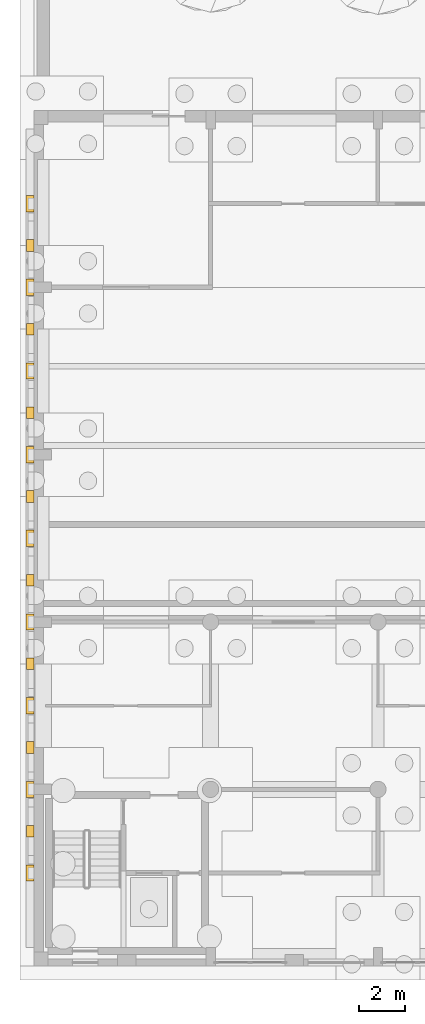
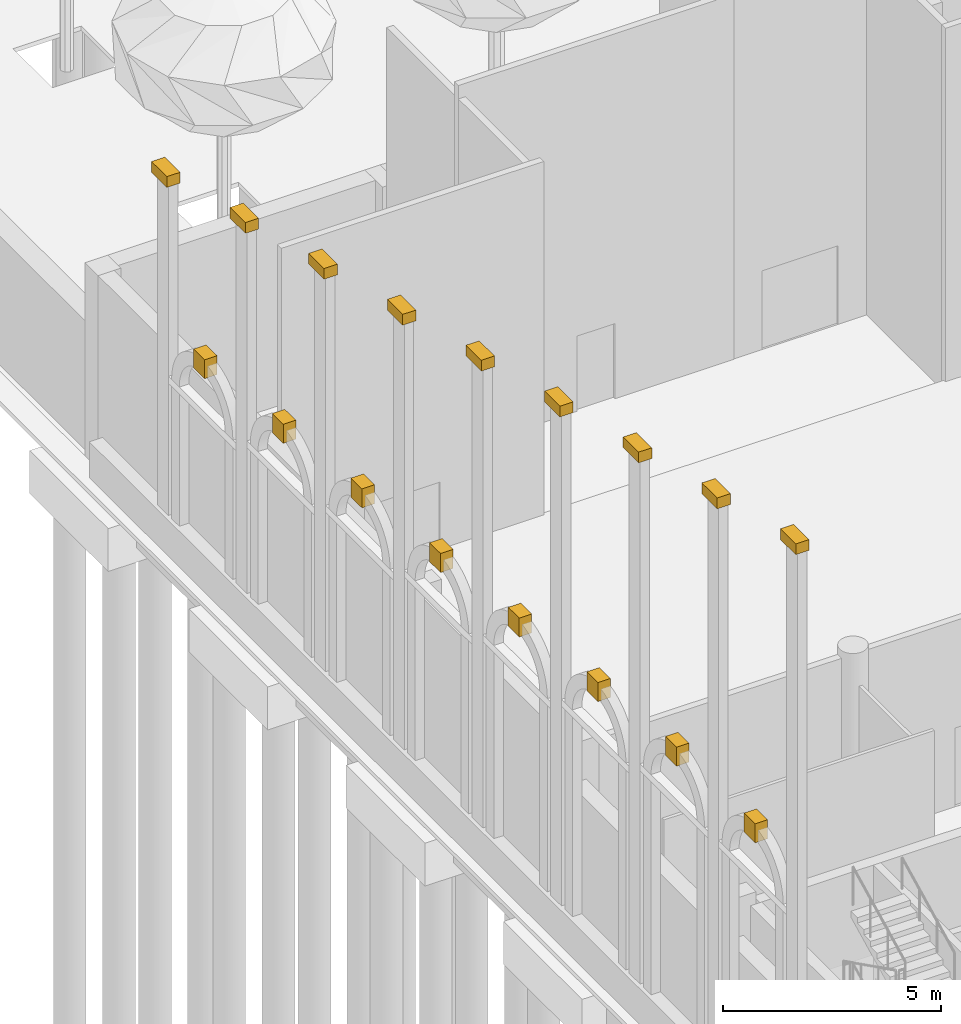
# One storey, part 74 of 80: 17 coverings.
"""IFC4 building model written with IfcOpenShell, lengths in metres."""

from ifc_helpers import new_model, si_unit, direction, frame, origin, origin_2d, place, context, subcontext, project, spatial, rectangle, extrude, material, type_object, element, save


model = new_model("IFC4")

# Units and contexts
model_context = context("Model", 3, precision=1e-05, world=origin(), true_north=direction((0.0, 1.0)))
body_context = subcontext(model_context, "Body", "Model", "MODEL_VIEW")
ifc_project = project(units=[si_unit("LENGTHUNIT", "METRE"), si_unit("AREAUNIT", "SQUARE_METRE"), si_unit("VOLUMEUNIT", "CUBIC_METRE"), si_unit("PLANEANGLEUNIT", "RADIAN"), si_unit("MASSUNIT", "GRAM", prefix="KILO")], contexts=[model_context])

# Site, building, storey
site_placement = place(None, origin())
site = spatial("IfcSite", under=ifc_project, at=site_placement, CompositionType="ELEMENT")
building_placement = place(site_placement, origin())
building = spatial("IfcBuilding", under=site, at=building_placement, Name="Ussher Court Research Institute", CompositionType="ELEMENT")
storey_placement = place(building_placement, origin())
storey = spatial("IfcBuildingStorey", under=building, at=storey_placement, Name="L00", CompositionType="ELEMENT", Elevation=0.0)

# Coverings
ifc_material_1 = material(Name="Limestone cornice", Category="masonry")
covering_type_1 = type_object("IfcCoveringType", Name="Keystone 500x330", PredefinedType="CLADDING", material=ifc_material_1)
for number, where, z_axis, x_axis, name in (
    (1, (2.43505859375, 9.39990234375, 8.25), (0.0, 0.0, 1.0), (1.0, 0.0, 0.0), "Keystone CC42"),
    (2, (2.43505859375, 13.0, 8.20849609375), (0.0, 0.0, 1.0), (1.0, 0.0, 0.0), "Keystone CC42"),
    (3, (2.43505859375, 16.60009765625, 7.830078125), (0.0, 0.0, 1.0), (1.0, 0.0, 0.0), "Keystone CC42"),
    (4, (2.43505859375, 20.199951171875, 7.4521484375), (0.0, 0.0, 1.0), (1.0, 0.0, 0.0), "Keystone CC42"),
    (5, (2.43505859375, 23.800048828125, 7.07421875), (0.0, 0.0, 1.0), (1.0, 0.0, 0.0), "Keystone CC42"),
    (6, (2.43505859375, 27.39990234375, 6.6962890625), (0.0, 0.0, 1.0), (1.0, 0.0, 0.0), "Keystone CC42"),
    (7, (2.43505859375, 31.0, 6.318359375), (0.0, 0.0, 1.0), (1.0, 0.0, 0.0), "Keystone CC42"),
    (8, (2.43505859375, 34.60009765625, 5.93994140625), (0.0, 0.0, 1.0), (1.0, 0.0, 0.0), "Keystone CC42"),
):
    element("IfcCovering", number, at=place(storey_placement, frame(where, z_axis=z_axis, x_axis=x_axis)), inside=storey, type_object=covering_type_1, Name=name, PredefinedType="CLADDING", context=body_context, shape_type="SweptSolid", body=[
        extrude(rectangle(XDim=0.330078125, YDim=0.5, at=origin_2d()), origin(), (0.0, 0.0, 1.0), 0.530029296875),
    ])
ifc_material_2 = material(Name="Limestone cornice", Category="masonry")
covering_type_2 = type_object("IfcCoveringType", Name="Pilaster capital 700x350", PredefinedType="CLADDING", material=ifc_material_2)
for number, where, z_axis, x_axis, name in (
    (9, (2.425048828125, 7.60009765625, 17.46240234375), (0.0, 0.0, 1.0), (1.0, 0.0, 0.0), "Pilaster capital CC21"),
    (10, (2.425048828125, 11.199951171875, 16.5625), (0.0, 0.0, 1.0), (1.0, 0.0, 0.0), "Pilaster capital CC21"),
    (11, (2.425048828125, 14.800048828125, 15.66259765625), (0.0, 0.0, 1.0), (1.0, 0.0, 0.0), "Pilaster capital CC21"),
    (12, (2.425048828125, 18.39990234375, 14.7626953125), (0.0, 0.0, 1.0), (1.0, 0.0, 0.0), "Pilaster capital CC21"),
    (13, (2.425048828125, 22.0, 13.8623046875), (0.0, 0.0, 1.0), (1.0, 0.0, 0.0), "Pilaster capital CC21"),
    (14, (2.425048828125, 25.60009765625, 12.96240234375), (0.0, 0.0, 1.0), (1.0, 0.0, 0.0), "Pilaster capital CC21"),
    (15, (2.425048828125, 29.199951171875, 12.0625), (0.0, 0.0, 1.0), (1.0, 0.0, 0.0), "Pilaster capital CC21"),
    (16, (2.425048828125, 32.800048828125, 11.16259765625), (0.0, 0.0, 1.0), (1.0, 0.0, 0.0), "Pilaster capital CC21"),
    (17, (2.425048828125, 36.39990234375, 10.2626953125), (0.0, 0.0, 1.0), (1.0, 0.0, 0.0), "Pilaster capital CC21"),
):
    element("IfcCovering", number, at=place(storey_placement, frame(where, z_axis=z_axis, x_axis=x_axis)), inside=storey, type_object=covering_type_2, Name=name, PredefinedType="CLADDING", context=body_context, shape_type="SweptSolid", body=[
        extrude(rectangle(XDim=0.35009765625, YDim=0.699951171875, at=origin_2d()), origin(), (0.0, 0.0, 1.0), 0.300048828125),
    ])

save(model, "model.ifc")
